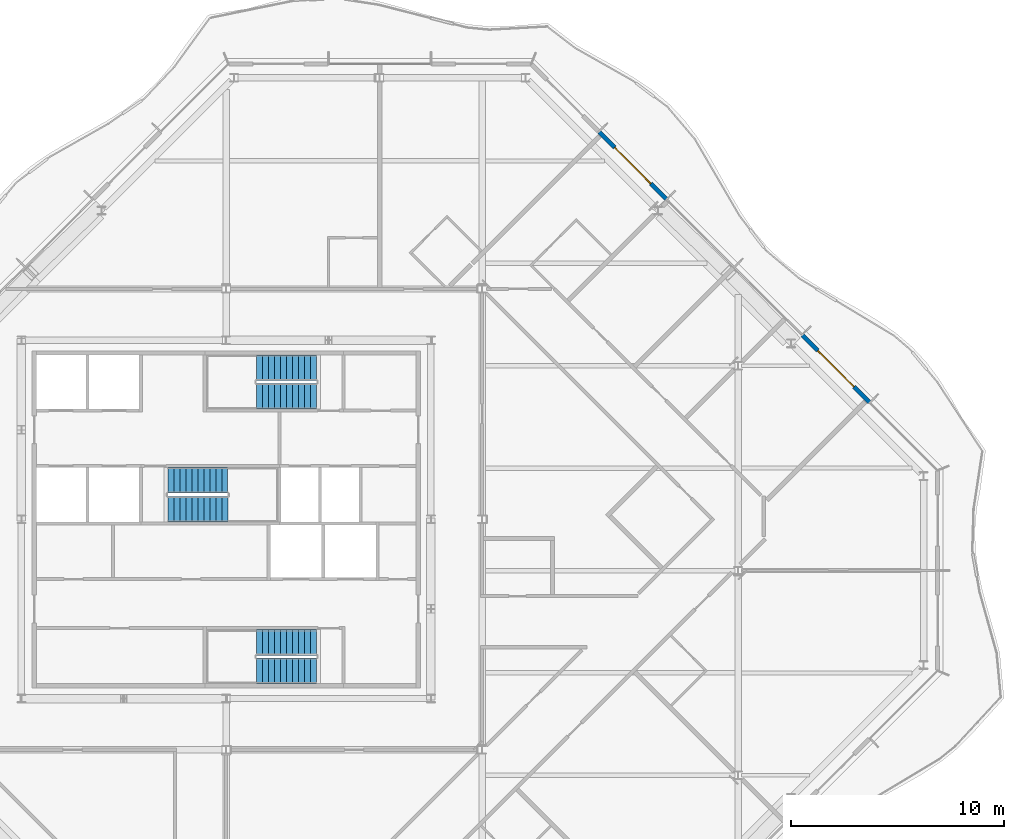
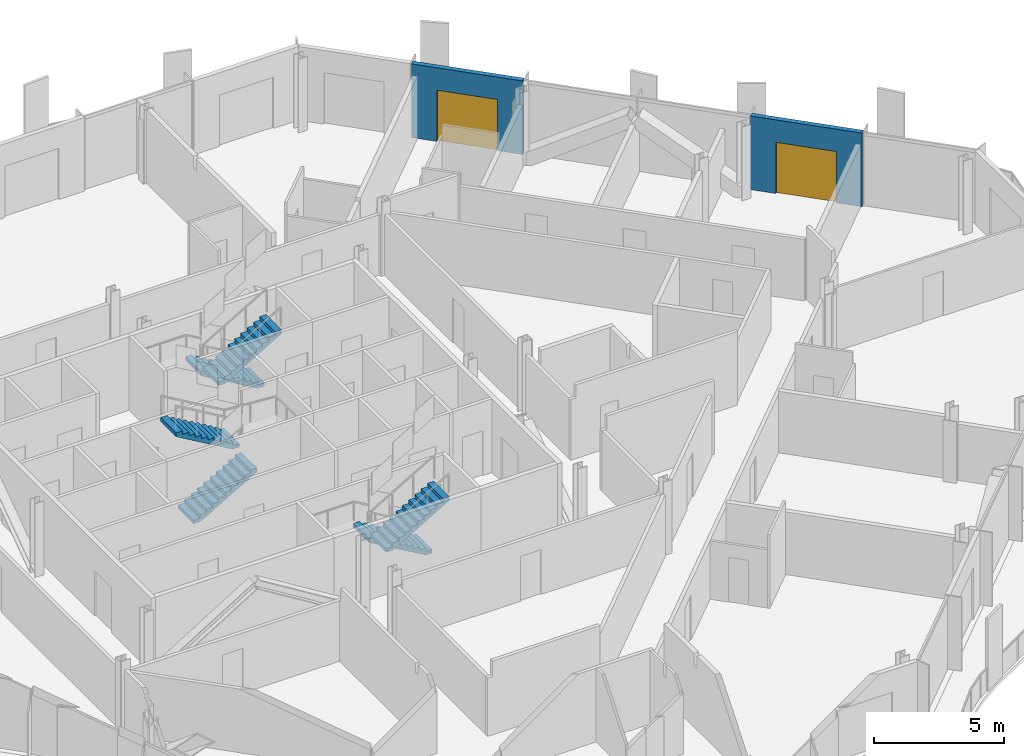
# One storey, part 12 of 17: 6 stair flights, 2 doors, 2 walls, 2 openings, 3 elements without a shape of their own.
"""IFC4 building model written with IfcOpenShell, lengths in metres."""

from ifc_helpers import new_model, si_unit, direction, frame, frame_2d, origin, place, context, subcontext, project, spatial, polyline, rectangle, outline, extrude, material, layer, layer_set, type_object, element, fill, aggregate, save


model = new_model("IFC4")

# Units and contexts
model_context = context("Model", 3, precision=1e-05, world=origin(), true_north=direction((0.0, 1.0)))
body_context = subcontext(model_context, "Body", "Model", "MODEL_VIEW")
ifc_project = project(units=[si_unit("LENGTHUNIT", "METRE"), si_unit("AREAUNIT", "SQUARE_METRE"), si_unit("VOLUMEUNIT", "CUBIC_METRE"), si_unit("PLANEANGLEUNIT", "RADIAN"), si_unit("MASSUNIT", "GRAM", prefix="KILO")], contexts=[model_context])

# Site, building, storey
site_placement = place(None, origin())
site = spatial("IfcSite", under=ifc_project, at=site_placement, CompositionType="ELEMENT")
building_placement = place(site_placement, origin())
building = spatial("IfcBuilding", under=site, at=building_placement, Name="Cairn Pilgrim Tower", CompositionType="ELEMENT")
storey_placement = place(building_placement, frame((0.0, 0.0, 274.199951171875)))
storey = spatial("IfcBuildingStorey", under=building, at=storey_placement, Name="L70", CompositionType="ELEMENT", Elevation=274.199951171875)

# Wall, opening, door
ifc_material_1 = material(Name="Bronze anodised aluminium insulated sandwich panel with mineral wool fill", Category="aluminium")
ifc_layer = layer(ifc_material_1, 0.199951171875)
ifc_layer_set = layer_set([ifc_layer], Name="BRONZE INFILL FRAME WALL 200")
wall_type = type_object("IfcWallType", Name="BRONZE INFILL FRAME WALL 200", PredefinedType="NOTDEFINED", material=ifc_layer_set)
wall_1_placement = place(storey_placement, frame((37.353271484375, 7.893310546875, 0.0), z_axis=(0.0, 0.0, 1.0), x_axis=(-0.707134329907, 0.707079231393, 0.0)))
wall_1 = element("IfcWall", 1, at=wall_1_placement, inside=storey, type_object=wall_type, Name="Bronze infill frame wall IW-NE2", PredefinedType="NOTDEFINED", context=body_context, shape_type="SweptSolid", body=[
    extrude(rectangle(XDim=4.430908203125, YDim=0.199951171875, at=frame_2d((2.21533203125, 0.0))), origin(), (0.0, 0.0, 1.0), 3.449951171875),
])
opening_1_placement = place(wall_1_placement, frame((1.015380859375, 0.0, 0.0)))
opening_1 = element("IfcOpeningElement", 2, at=opening_1_placement, cuts=wall_1, Name="Opening 7005B", PredefinedType="OPENING", context=body_context, shape_type="SweptSolid", body=[
    extrude(rectangle(XDim=2.39990234375, YDim=2.39990234375, at=frame_2d((1.199951171875, 1.199951171875))), frame((0.0, 0.10986328125, 0.0), z_axis=(0.0, -1.0, 0.0), x_axis=(1.0, 0.0, 0.0)), (0.0, 0.0, 1.0), 0.219970703125),
])
ifc_material_2 = material(Name="Bronze anodised aluminium frame with tinted low-E glass", Category="aluminium")
door_type = type_object("IfcDoorType", Name="BALCONY SLIDING DOOR 2400x2400", OperationType="DOUBLE_DOOR_SLIDING", PredefinedType="DOOR", material=ifc_material_2)
door_1_placement = place(opening_1_placement, origin())
door_1 = element("IfcDoor", 3, at=door_1_placement, inside=storey, type_object=door_type, Name="Balcony sliding door 7005B", OperationType="SINGLE_SWING_LEFT", OverallHeight=2.39990234375, OverallWidth=2.39990234375, PredefinedType="DOOR", context=body_context, shape_type="SweptSolid", body=[
    extrude(rectangle(XDim=2.39990234375, YDim=2.39990234375, at=frame_2d((1.199951171875, 1.199951171875))), frame((0.0, 0.02490234375, 0.0), z_axis=(0.0, -1.0, 0.0), x_axis=(1.0, 0.0, 0.0)), (0.0, 0.0, 1.0), 0.050048828125),
])
fill(opening_1, door_1)

wall_2_placement = place(storey_placement, frame((27.826416015625, 17.419921875, 0.0), z_axis=(0.0, 0.0, 1.0), x_axis=(-0.707079231393, 0.707134329907, 0.0)))
wall_2 = element("IfcWall", 4, at=wall_2_placement, inside=storey, type_object=wall_type, Name="Bronze infill frame wall IW-NE5", PredefinedType="NOTDEFINED", context=body_context, shape_type="SweptSolid", body=[
    extrude(rectangle(XDim=4.430908203125, YDim=0.199951171875, at=frame_2d((2.21533203125, 0.0))), origin(), (0.0, 0.0, 1.0), 3.449951171875),
])
opening_2_placement = place(wall_2_placement, frame((1.01513671875, 0.0, 0.0)))
opening_2 = element("IfcOpeningElement", 5, at=opening_2_placement, cuts=wall_2, Name="Opening 7008B", PredefinedType="OPENING", context=body_context, shape_type="SweptSolid", body=[
    extrude(rectangle(XDim=2.39990234375, YDim=2.39990234375, at=frame_2d((1.199951171875, 1.199951171875))), frame((0.0, 0.10986328125, 0.0), z_axis=(0.0, -1.0, 0.0), x_axis=(1.0, 0.0, 0.0)), (0.0, 0.0, 1.0), 0.219970703125),
])
door_2_placement = place(opening_2_placement, origin())
door_2 = element("IfcDoor", 6, at=door_2_placement, inside=storey, type_object=door_type, Name="Balcony sliding door 7008B", OperationType="SINGLE_SWING_LEFT", OverallHeight=2.39990234375, OverallWidth=2.39990234375, PredefinedType="DOOR", context=body_context, shape_type="SweptSolid", body=[
    extrude(rectangle(XDim=2.39990234375, YDim=2.39990234375, at=frame_2d((1.199951171875, 1.199951171875))), frame((0.0, 0.02490234375, 0.0), z_axis=(0.0, -1.0, 0.0), x_axis=(1.0, 0.0, 0.0)), (0.0, 0.0, 1.0), 0.050048828125),
])
fill(opening_2, door_2)

# Stair, stair flights
ifc_material_3 = material(Name="Concrete C32/40", Category="concrete")
stair_type = type_object("IfcStairType", Name="EXIT STAIR 1200", PredefinedType="HALF_TURN_STAIR", material=ifc_material_3)
stair_1_placement = place(storey_placement, origin())
stair_1 = element("IfcStair", 7, at=stair_1_placement, inside=storey, type_object=stair_type, Name="L70 Exit Stair A", PredefinedType="HALF_TURN_STAIR")
stair_flight_type = type_object("IfcStairFlightType", Name="STAIR FLIGHT 1200", PredefinedType="STRAIGHT", material=ifc_material_3)
stair_flight_1_placement = place(storey_placement, frame((11.425048828125, -3.375, 0.0), z_axis=(0.0, 0.0, 1.0), x_axis=(-1.0, 0.0, 0.0)))
stair_flight_1 = element("IfcStairFlight", 8, at=stair_flight_1_placement, type_object=stair_flight_type, Name="ST-A flight 1", NumberOfRisers=11, NumberOfTreads=10, PredefinedType="STRAIGHT", RiserHeight=0.163636364, TreadLength=0.28, context=body_context, shape_type="SweptSolid", body=[
    extrude(outline(polyline([(0.0, 0.0), (0.0, 0.16357421875), (0.280029296875, 0.16357421875), (0.280029296875, 0.327392578125), (0.56005859375, 0.327392578125), (0.56005859375, 0.490966796875), (0.840087890625, 0.490966796875), (0.840087890625, 0.654541015625), (1.1201171875, 0.654541015625), (1.1201171875, 0.818115234375), (1.39990234375, 0.818115234375), (1.39990234375, 0.98193359375), (1.679931640625, 0.98193359375), (1.679931640625, 1.1455078125), (1.9599609375, 1.1455078125), (1.9599609375, 1.30908203125), (2.239990234375, 1.30908203125), (2.239990234375, 1.47265625), (2.52001953125, 1.47265625), (2.52001953125, 1.636474609375), (2.800048828125, 1.636474609375), (2.800048828125, 1.800048828125), (2.800048828125, 1.462646484375), (0.297119140625, 0.0), (0.0, 0.0)])), frame((0.0, 0.60009765625, 0.0), z_axis=(0.0, -1.0, 0.0), x_axis=(1.0, 0.0, 0.0)), (0.0, 0.0, 1.0), 1.199951171875),
])
stair_flight_2_placement = place(storey_placement, frame((8.625, -4.699951171875, 1.800048828125), z_axis=(0.0, 0.0, 1.0), x_axis=(1.0, 0.0, 0.0)))
stair_flight_2 = element("IfcStairFlight", 9, at=stair_flight_2_placement, type_object=stair_flight_type, Name="ST-A flight 2", NumberOfRisers=11, NumberOfTreads=10, PredefinedType="STRAIGHT", RiserHeight=0.163636364, TreadLength=0.28, context=body_context, shape_type="SweptSolid", body=[
    extrude(outline(polyline([(0.0, 0.0), (0.0, 0.16357421875), (0.280029296875, 0.16357421875), (0.280029296875, 0.327392578125), (0.56005859375, 0.327392578125), (0.56005859375, 0.490966796875), (0.840087890625, 0.490966796875), (0.840087890625, 0.654541015625), (1.1201171875, 0.654541015625), (1.1201171875, 0.818115234375), (1.39990234375, 0.818115234375), (1.39990234375, 0.98193359375), (1.679931640625, 0.98193359375), (1.679931640625, 1.1455078125), (1.9599609375, 1.1455078125), (1.9599609375, 1.30908203125), (2.239990234375, 1.30908203125), (2.239990234375, 1.47265625), (2.52001953125, 1.47265625), (2.52001953125, 1.636474609375), (2.800048828125, 1.636474609375), (2.800048828125, 1.800048828125), (2.800048828125, 1.462646484375), (0.297119140625, 0.0), (0.0, 0.0)])), frame((0.0, 0.60009765625, 0.0), z_axis=(0.0, -1.0, 0.0), x_axis=(1.0, 0.0, 0.0)), (0.0, 0.0, 1.0), 1.199951171875),
])
aggregate(stair_1, [stair_flight_1, stair_flight_2])

stair_2_placement = place(storey_placement, origin())
stair_2 = element("IfcStair", 10, at=stair_2_placement, inside=storey, type_object=stair_type, Name="L70 Exit Stair B", PredefinedType="HALF_TURN_STAIR")
stair_flight_3_placement = place(storey_placement, frame((4.47509765625, 2.875, 0.0), z_axis=(0.0, 0.0, 1.0), x_axis=(1.0, 0.0, 0.0)))
stair_flight_3 = element("IfcStairFlight", 11, at=stair_flight_3_placement, type_object=stair_flight_type, Name="ST-B flight 1", NumberOfRisers=11, NumberOfTreads=10, PredefinedType="STRAIGHT", RiserHeight=0.163636364, TreadLength=0.28, context=body_context, shape_type="SweptSolid", body=[
    extrude(outline(polyline([(0.0, 0.0), (0.0, 0.16357421875), (0.280029296875, 0.16357421875), (0.280029296875, 0.327392578125), (0.56005859375, 0.327392578125), (0.56005859375, 0.490966796875), (0.840087890625, 0.490966796875), (0.840087890625, 0.654541015625), (1.1201171875, 0.654541015625), (1.1201171875, 0.818115234375), (1.39990234375, 0.818115234375), (1.39990234375, 0.98193359375), (1.679931640625, 0.98193359375), (1.679931640625, 1.1455078125), (1.9599609375, 1.1455078125), (1.9599609375, 1.30908203125), (2.239990234375, 1.30908203125), (2.239990234375, 1.47265625), (2.52001953125, 1.47265625), (2.52001953125, 1.636474609375), (2.800048828125, 1.636474609375), (2.800048828125, 1.800048828125), (2.800048828125, 1.462646484375), (0.297119140625, 0.0), (0.0, 0.0)])), frame((0.0, 0.60009765625, 0.0), z_axis=(0.0, -1.0, 0.0), x_axis=(1.0, 0.0, 0.0)), (0.0, 0.0, 1.0), 1.199951171875),
])
stair_flight_4_placement = place(storey_placement, frame((7.27490234375, 4.22509765625, 1.800048828125), z_axis=(0.0, 0.0, 1.0), x_axis=(-1.0, 0.0, 0.0)))
stair_flight_4 = element("IfcStairFlight", 12, at=stair_flight_4_placement, type_object=stair_flight_type, Name="ST-B flight 2", NumberOfRisers=11, NumberOfTreads=10, PredefinedType="STRAIGHT", RiserHeight=0.163636364, TreadLength=0.28, context=body_context, shape_type="SweptSolid", body=[
    extrude(outline(polyline([(0.0, 0.0), (0.0, 0.16357421875), (0.280029296875, 0.16357421875), (0.280029296875, 0.327392578125), (0.56005859375, 0.327392578125), (0.56005859375, 0.490966796875), (0.840087890625, 0.490966796875), (0.840087890625, 0.654541015625), (1.1201171875, 0.654541015625), (1.1201171875, 0.818115234375), (1.39990234375, 0.818115234375), (1.39990234375, 0.98193359375), (1.679931640625, 0.98193359375), (1.679931640625, 1.1455078125), (1.9599609375, 1.1455078125), (1.9599609375, 1.30908203125), (2.239990234375, 1.30908203125), (2.239990234375, 1.47265625), (2.52001953125, 1.47265625), (2.52001953125, 1.636474609375), (2.800048828125, 1.636474609375), (2.800048828125, 1.800048828125), (2.800048828125, 1.462646484375), (0.297119140625, 0.0), (0.0, 0.0)])), frame((0.0, 0.60009765625, 0.0), z_axis=(0.0, -1.0, 0.0), x_axis=(1.0, 0.0, 0.0)), (0.0, 0.0, 1.0), 1.199951171875),
])
aggregate(stair_2, [stair_flight_3, stair_flight_4])

stair_3_placement = place(storey_placement, origin())
stair_3 = element("IfcStair", 13, at=stair_3_placement, inside=storey, type_object=stair_type, Name="L70 Exit Stair C", PredefinedType="HALF_TURN_STAIR")
stair_flight_5_placement = place(storey_placement, frame((11.425048828125, 9.5, 0.0), z_axis=(0.0, 0.0, 1.0), x_axis=(-1.0, 0.0, 0.0)))
stair_flight_5 = element("IfcStairFlight", 14, at=stair_flight_5_placement, type_object=stair_flight_type, Name="ST-C flight 1", NumberOfRisers=11, NumberOfTreads=10, PredefinedType="STRAIGHT", RiserHeight=0.163636364, TreadLength=0.28, context=body_context, shape_type="SweptSolid", body=[
    extrude(outline(polyline([(0.0, 0.0), (0.0, 0.16357421875), (0.280029296875, 0.16357421875), (0.280029296875, 0.327392578125), (0.56005859375, 0.327392578125), (0.56005859375, 0.490966796875), (0.840087890625, 0.490966796875), (0.840087890625, 0.654541015625), (1.1201171875, 0.654541015625), (1.1201171875, 0.818115234375), (1.39990234375, 0.818115234375), (1.39990234375, 0.98193359375), (1.679931640625, 0.98193359375), (1.679931640625, 1.1455078125), (1.9599609375, 1.1455078125), (1.9599609375, 1.30908203125), (2.239990234375, 1.30908203125), (2.239990234375, 1.47265625), (2.52001953125, 1.47265625), (2.52001953125, 1.636474609375), (2.800048828125, 1.636474609375), (2.800048828125, 1.800048828125), (2.800048828125, 1.462646484375), (0.297119140625, 0.0), (0.0, 0.0)])), frame((0.0, 0.60009765625, 0.0), z_axis=(0.0, -1.0, 0.0), x_axis=(1.0, 0.0, 0.0)), (0.0, 0.0, 1.0), 1.199951171875),
])
stair_flight_6_placement = place(storey_placement, frame((8.625, 8.175048828125, 1.800048828125), z_axis=(0.0, 0.0, 1.0), x_axis=(1.0, 0.0, 0.0)))
stair_flight_6 = element("IfcStairFlight", 15, at=stair_flight_6_placement, type_object=stair_flight_type, Name="ST-C flight 2", NumberOfRisers=11, NumberOfTreads=10, PredefinedType="STRAIGHT", RiserHeight=0.163636364, TreadLength=0.28, context=body_context, shape_type="SweptSolid", body=[
    extrude(outline(polyline([(0.0, 0.0), (0.0, 0.16357421875), (0.280029296875, 0.16357421875), (0.280029296875, 0.327392578125), (0.56005859375, 0.327392578125), (0.56005859375, 0.490966796875), (0.840087890625, 0.490966796875), (0.840087890625, 0.654541015625), (1.1201171875, 0.654541015625), (1.1201171875, 0.818115234375), (1.39990234375, 0.818115234375), (1.39990234375, 0.98193359375), (1.679931640625, 0.98193359375), (1.679931640625, 1.1455078125), (1.9599609375, 1.1455078125), (1.9599609375, 1.30908203125), (2.239990234375, 1.30908203125), (2.239990234375, 1.47265625), (2.52001953125, 1.47265625), (2.52001953125, 1.636474609375), (2.800048828125, 1.636474609375), (2.800048828125, 1.800048828125), (2.800048828125, 1.462646484375), (0.297119140625, 0.0), (0.0, 0.0)])), frame((0.0, 0.60009765625, 0.0), z_axis=(0.0, -1.0, 0.0), x_axis=(1.0, 0.0, 0.0)), (0.0, 0.0, 1.0), 1.199951171875),
])
aggregate(stair_3, [stair_flight_5, stair_flight_6])

save(model, "model.ifc")
